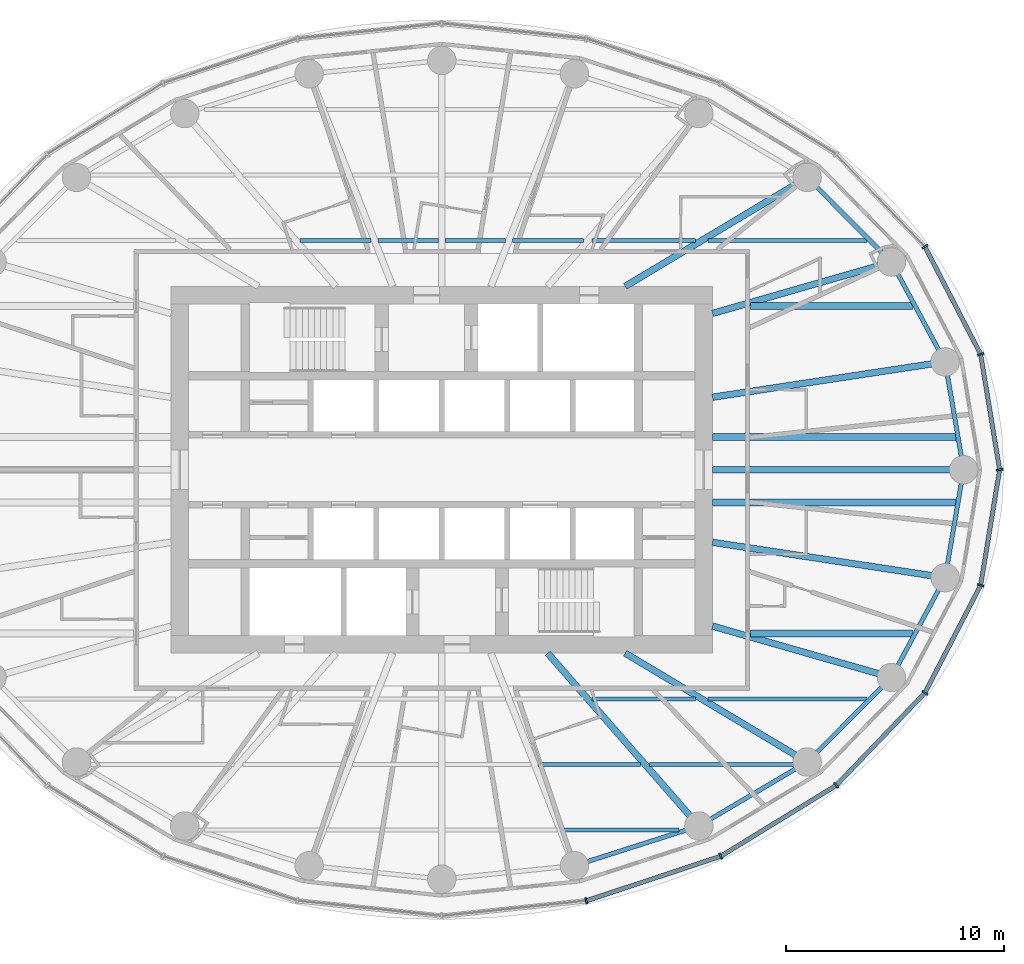
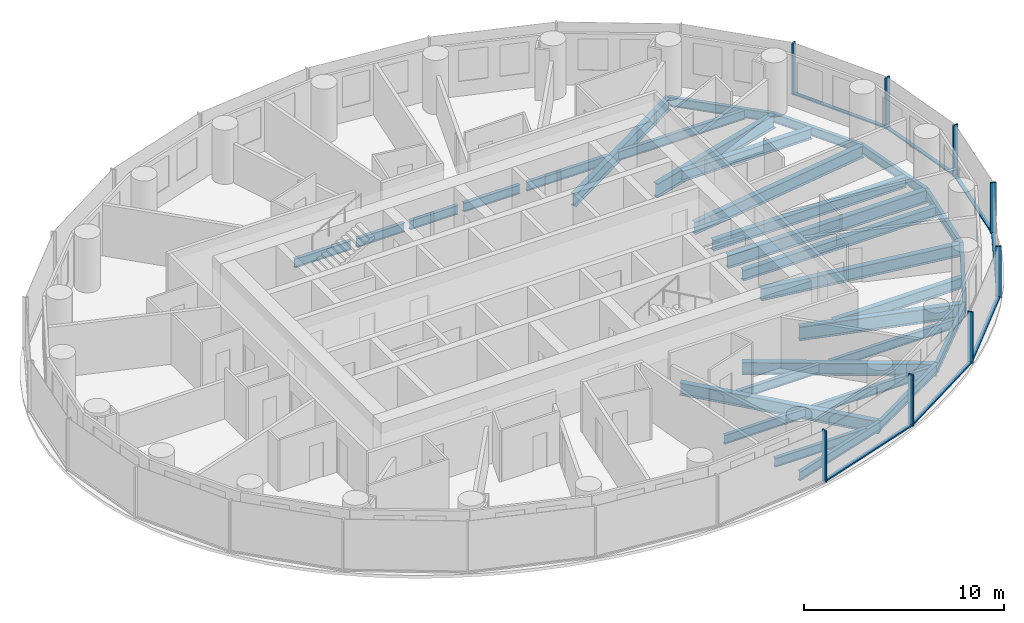
# One storey, part 3 of 13: 31 beams, 15 members, 2 elements without a shape of their own.
"""IFC4 building model written with IfcOpenShell, lengths in metres."""

from ifc_helpers import new_model, si_unit, direction, frame, origin, origin_2d, place, context, subcontext, project, spatial, rectangle, i_section, extrude, material, material_profile, profile_set, type_object, element, aggregate, save


model = new_model("IFC4")

# Units and contexts
model_context = context("Model", 3, precision=1e-05, world=origin(), true_north=direction((0.0, 1.0)))
body_context = subcontext(model_context, "Body", "Model", "MODEL_VIEW")
ifc_project = project(units=[si_unit("LENGTHUNIT", "METRE"), si_unit("AREAUNIT", "SQUARE_METRE"), si_unit("VOLUMEUNIT", "CUBIC_METRE"), si_unit("PLANEANGLEUNIT", "RADIAN"), si_unit("MASSUNIT", "GRAM", prefix="KILO")], contexts=[model_context])

# Site, building, storey
site_placement = place(None, origin())
site = spatial("IfcSite", under=ifc_project, at=site_placement, CompositionType="ELEMENT")
building_placement = place(site_placement, origin())
building = spatial("IfcBuilding", under=site, at=building_placement, Name="Hankou Lantern Tower", CompositionType="ELEMENT")
storey_placement = place(building_placement, frame((0.0, 0.0, 125.39990234375)))
storey = spatial("IfcBuildingStorey", under=building, at=storey_placement, Name="L32", CompositionType="ELEMENT", Elevation=125.39990234375)

# Beams
ifc_material_1 = material(Name="Steel Q355B", Category="steel")
ifc_material_profile_1 = material_profile(ifc_material_1, i_section(OverallWidth=0.199951171875, OverallDepth=0.550048828125, WebThickness=0.010009765625, FlangeThickness=0.01611328125, FilletRadius=0.012939453125, at=origin_2d()), Name="HN550x200x10x16")
ifc_profile_set_1 = profile_set([ifc_material_profile_1], Name="Steel Q355B")
beam_type_1 = type_object("IfcBeamType", Name="EB6 RING BEAM HN550x200x10x16", PredefinedType="SPANDREL", material=ifc_profile_set_1)
beam_1_placement = place(storey_placement, frame((23.89990234375, 0.0, -0.454833984375), z_axis=(-0.168527258545, 0.985696993567, 0.0), x_axis=(-0.985696993567, -0.168527258545, 0.0)))
element("IfcBeam", 1, at=beam_1_placement, inside=storey, type_object=beam_type_1, Name="Ring beam R01-R02 L32", PredefinedType="SPANDREL", context=body_context, shape_type="SweptSolid", body=[
    extrude(i_section(OverallWidth=0.199951171875, OverallDepth=0.550048828125, WebThickness=0.010009765625, FlangeThickness=0.01611328125, FilletRadius=0.012939453125, at=origin_2d()), origin(), (0.0, 0.0, 1.0), 5.013916015625),
])
beam_2_placement = place(storey_placement, frame((23.054931640625, 4.942138671875, -0.454833984375), z_axis=(-0.473824901673, 0.880619079145, 0.0), x_axis=(-0.880619079145, -0.473824901673, 0.0)))
element("IfcBeam", 2, at=beam_2_placement, inside=storey, type_object=beam_type_1, Name="Ring beam R02-R03 L32", PredefinedType="SPANDREL", context=body_context, shape_type="SweptSolid", body=[
    extrude(i_section(OverallWidth=0.199951171875, OverallDepth=0.550048828125, WebThickness=0.010009765625, FlangeThickness=0.01611328125, FilletRadius=0.012939453125, at=origin_2d()), origin(), (0.0, 0.0, 1.0), 5.190185546875),
])
beam_3_placement = place(storey_placement, frame((20.595703125, 9.5126953125, -0.454833984375), z_axis=(-0.705945468625, 0.708266189599, 0.0), x_axis=(-0.708266189599, -0.705945468625, 0.0)))
element("IfcBeam", 3, at=beam_3_placement, inside=storey, type_object=beam_type_1, Name="Ring beam R03-R04 L32", PredefinedType="SPANDREL", context=body_context, shape_type="SweptSolid", body=[
    extrude(i_section(OverallWidth=0.199951171875, OverallDepth=0.550048828125, WebThickness=0.010009765625, FlangeThickness=0.01611328125, FilletRadius=0.012939453125, at=origin_2d()), origin(), (0.0, 0.0, 1.0), 5.470458984375),
])
beam_4_placement = place(storey_placement, frame((6.073974609375, -18.134521484375, -0.454833984375), z_axis=(0.952731090451, 0.303814860215, 0.0), x_axis=(-0.303814860215, 0.952731090451, 0.0)))
element("IfcBeam", 4, at=beam_4_placement, inside=storey, type_object=beam_type_1, Name="Ring beam R20-R21 L32", PredefinedType="SPANDREL", context=body_context, shape_type="SweptSolid", body=[
    extrude(i_section(OverallWidth=0.199951171875, OverallDepth=0.550048828125, WebThickness=0.010009765625, FlangeThickness=0.01611328125, FilletRadius=0.012939453125, at=origin_2d()), origin(), (0.0, 0.0, 1.0), 5.984375),
])
beam_5_placement = place(storey_placement, frame((11.775390625, -16.31640625, -0.454833984375), z_axis=(0.860988974188, 0.508623619513, 0.0), x_axis=(-0.508623619513, 0.860988974188, 0.0)))
element("IfcBeam", 5, at=beam_5_placement, inside=storey, type_object=beam_type_1, Name="Ring beam R21-R22 L32", PredefinedType="SPANDREL", context=body_context, shape_type="SweptSolid", body=[
    extrude(i_section(OverallWidth=0.199951171875, OverallDepth=0.550048828125, WebThickness=0.010009765625, FlangeThickness=0.01611328125, FilletRadius=0.012939453125, at=origin_2d()), origin(), (0.0, 0.0, 1.0), 5.759033203125),
])
beam_6_placement = place(storey_placement, frame((16.73388671875, -13.38720703125, -0.454833984375), z_axis=(0.705945468625, 0.708266189599, 0.0), x_axis=(-0.708266189599, 0.705945468625, 0.0)))
element("IfcBeam", 6, at=beam_6_placement, inside=storey, type_object=beam_type_1, Name="Ring beam R22-R23 L32", PredefinedType="SPANDREL", context=body_context, shape_type="SweptSolid", body=[
    extrude(i_section(OverallWidth=0.199951171875, OverallDepth=0.550048828125, WebThickness=0.010009765625, FlangeThickness=0.01611328125, FilletRadius=0.012939453125, at=origin_2d()), origin(), (0.0, 0.0, 1.0), 5.470458984375),
])
beam_7_placement = place(storey_placement, frame((20.595703125, -9.5126953125, -0.454833984375), z_axis=(0.473824901673, 0.880619079145, 0.0), x_axis=(-0.880619079145, 0.473824901673, 0.0)))
element("IfcBeam", 7, at=beam_7_placement, inside=storey, type_object=beam_type_1, Name="Ring beam R23-R24 L32", PredefinedType="SPANDREL", context=body_context, shape_type="SweptSolid", body=[
    extrude(i_section(OverallWidth=0.199951171875, OverallDepth=0.550048828125, WebThickness=0.010009765625, FlangeThickness=0.01611328125, FilletRadius=0.012939453125, at=origin_2d()), origin(), (0.0, 0.0, 1.0), 5.190185546875),
])
beam_8_placement = place(storey_placement, frame((23.054931640625, -4.942138671875, -0.454833984375), z_axis=(0.168527258545, 0.985696993567, 0.0), x_axis=(-0.985696993567, 0.168527258545, 0.0)))
element("IfcBeam", 8, at=beam_8_placement, inside=storey, type_object=beam_type_1, Name="Ring beam R24-R01 L32", PredefinedType="SPANDREL", context=body_context, shape_type="SweptSolid", body=[
    extrude(i_section(OverallWidth=0.199951171875, OverallDepth=0.550048828125, WebThickness=0.010009765625, FlangeThickness=0.01611328125, FilletRadius=0.012939453125, at=origin_2d()), origin(), (0.0, 0.0, 1.0), 5.013916015625),
])

# Curtain wall, members
ifc_material_2 = material(Name="Glass, dark grey tinted laminated", Category="glass")
curtain_wall_type = type_object("IfcCurtainWallType", Name="CWB OUTER SKIN MID-RISE", PredefinedType="USERDEFINED", material=ifc_material_2)
curtain_wall_1_placement = place(storey_placement, origin())
curtain_wall_1 = element("IfcCurtainWall", 9, at=curtain_wall_1_placement, inside=storey, type_object=curtain_wall_type, Name="CWB L32 OS1", ObjectType="OUTER SKIN MID-RISE", PredefinedType="USERDEFINED")
ifc_material_3 = material(Name="Aluminium, black anodised", Category="aluminium")
ifc_material_profile_2 = material_profile(ifc_material_3, rectangle(XDim=0.080078125, YDim=0.300048828125, at=origin_2d()), Name="MU1 80X300")
ifc_profile_set_2 = profile_set([ifc_material_profile_2], Name="Aluminium, black anodised")
member_type_1 = type_object("IfcMemberType", Name="MU1 OUTER SKIN MULLION 80X300", PredefinedType="MULLION", material=ifc_profile_set_2)
member_1_placement = place(storey_placement, frame((25.550048828125, 0.0, 0.0), z_axis=(0.0, 0.0, 1.0), x_axis=(-0.162381515188, 0.986728049427, 0.0)))
member_1 = element("IfcMember", 10, at=member_1_placement, type_object=member_type_1, Name="CWB mullion 1", PredefinedType="MULLION", context=body_context, shape_type="SweptSolid", body=[
    extrude(rectangle(XDim=0.080078125, YDim=0.300048828125, at=origin_2d()), origin(), (0.0, 0.0, 1.0), 3.1201171875),
])
member_2_placement = place(storey_placement, frame((24.679443359375, 5.290283203125, 0.0), z_axis=(0.0, 0.0, 1.0), x_axis=(-0.317595577365, 0.94822626479, 0.0)))
member_2 = element("IfcMember", 11, at=member_2_placement, type_object=member_type_1, Name="CWB mullion 2", PredefinedType="MULLION", context=body_context, shape_type="SweptSolid", body=[
    extrude(rectangle(XDim=0.080078125, YDim=0.300048828125, at=origin_2d()), origin(), (0.0, 0.0, 1.0), 3.1201171875),
])
member_3_placement = place(storey_placement, frame((22.126953125, 10.219970703125, 0.0), z_axis=(0.0, 0.0, 1.0), x_axis=(-0.585205735974, 0.810884854084, 0.0)))
member_3 = element("IfcMember", 12, at=member_3_placement, type_object=member_type_1, Name="CWB mullion 3", PredefinedType="MULLION", context=body_context, shape_type="SweptSolid", body=[
    extrude(rectangle(XDim=0.080078125, YDim=0.300048828125, at=origin_2d()), origin(), (0.0, 0.0, 1.0), 3.1201171875),
])

curtain_wall_2_placement = place(storey_placement, origin())
curtain_wall_2 = element("IfcCurtainWall", 13, at=curtain_wall_2_placement, inside=storey, type_object=curtain_wall_type, Name="CWB L32 OS4", ObjectType="OUTER SKIN MID-RISE", PredefinedType="USERDEFINED")
member_4_placement = place(storey_placement, frame((6.61279296875, -19.743408203125, 0.0), z_axis=(0.0, 0.0, 1.0), x_axis=(0.977787659625, 0.209597931016, 0.0)))
member_4 = element("IfcMember", 14, at=member_4_placement, type_object=member_type_1, Name="CWB mullion 2", PredefinedType="MULLION", context=body_context, shape_type="SweptSolid", body=[
    extrude(rectangle(XDim=0.080078125, YDim=0.300048828125, at=origin_2d()), origin(), (0.0, 0.0, 1.0), 3.1201171875),
])
member_5_placement = place(storey_placement, frame((12.77490234375, -17.70166015625, 0.0), z_axis=(0.0, 0.0, 1.0), x_axis=(0.907841299004, 0.419313934686, 0.0)))
member_5 = element("IfcMember", 15, at=member_5_placement, type_object=member_type_1, Name="CWB mullion 3", PredefinedType="MULLION", context=body_context, shape_type="SweptSolid", body=[
    extrude(rectangle(XDim=0.080078125, YDim=0.300048828125, at=origin_2d()), origin(), (0.0, 0.0, 1.0), 3.1201171875),
])
member_6_placement = place(storey_placement, frame((18.066650390625, -14.453369140625, 0.0), z_axis=(0.0, 0.0, 1.0), x_axis=(0.780868809444, 0.624695047553, 0.0)))
member_6 = element("IfcMember", 16, at=member_6_placement, type_object=member_type_1, Name="CWB mullion 4", PredefinedType="MULLION", context=body_context, shape_type="SweptSolid", body=[
    extrude(rectangle(XDim=0.080078125, YDim=0.300048828125, at=origin_2d()), origin(), (0.0, 0.0, 1.0), 3.1201171875),
])
member_7_placement = place(storey_placement, frame((22.126953125, -10.219970703125, 0.0), z_axis=(0.0, 0.0, 1.0), x_axis=(0.585205735974, 0.810884854084, 0.0)))
member_7 = element("IfcMember", 17, at=member_7_placement, type_object=member_type_1, Name="CWB mullion 5", PredefinedType="MULLION", context=body_context, shape_type="SweptSolid", body=[
    extrude(rectangle(XDim=0.080078125, YDim=0.300048828125, at=origin_2d()), origin(), (0.0, 0.0, 1.0), 3.1201171875),
])
member_8_placement = place(storey_placement, frame((24.679443359375, -5.290283203125, 0.0), z_axis=(0.0, 0.0, 1.0), x_axis=(0.317595577365, 0.94822626479, 0.0)))
member_8 = element("IfcMember", 18, at=member_8_placement, type_object=member_type_1, Name="CWB mullion 6", PredefinedType="MULLION", context=body_context, shape_type="SweptSolid", body=[
    extrude(rectangle(XDim=0.080078125, YDim=0.300048828125, at=origin_2d()), origin(), (0.0, 0.0, 1.0), 3.1201171875),
])

# Beams
ifc_material_4 = material(Name="Steel Q355B", Category="steel")
ifc_material_profile_3 = material_profile(ifc_material_4, i_section(OverallWidth=0.300048828125, OverallDepth=0.75, WebThickness=0.012939453125, FlangeThickness=0.02392578125, FilletRadius=0.01806640625, at=origin_2d()), Name="HN750x300x13x24")
ifc_profile_set_3 = profile_set([ifc_material_profile_3], Name="Steel Q355B")
beam_type_2 = type_object("IfcBeamType", Name="RB10 RADIAL BEAM HN750x300x13x24", PredefinedType="BEAM", material=ifc_profile_set_3)
beam_9_placement = place(storey_placement, frame((12.39990234375, 3.322509765625, -0.554931640625), z_axis=(0.988643506875, 0.150279793429, 0.0), x_axis=(-0.150279793429, 0.988643506875, 0.0)))
element("IfcBeam", 19, at=beam_9_placement, inside=storey, type_object=beam_type_2, Name="Radial beam R02 L32", PredefinedType="BEAM", context=body_context, shape_type="SweptSolid", body=[
    extrude(i_section(OverallWidth=0.300048828125, OverallDepth=0.75, WebThickness=0.012939453125, FlangeThickness=0.02392578125, FilletRadius=0.01806640625, at=origin_2d()), origin(), (0.0, 0.0, 1.0), 10.77734375),
])
beam_10_placement = place(storey_placement, frame((8.39990234375, 8.39990234375, -0.554931640625), z_axis=(0.858086776551, 0.513504706802, 0.0), x_axis=(-0.513504706802, 0.858086776551, 0.0)))
element("IfcBeam", 20, at=beam_10_placement, inside=storey, type_object=beam_type_2, Name="Radial beam R04 L32", PredefinedType="BEAM", context=body_context, shape_type="SweptSolid", body=[
    extrude(i_section(OverallWidth=0.300048828125, OverallDepth=0.75, WebThickness=0.012939453125, FlangeThickness=0.02392578125, FilletRadius=0.01806640625, at=origin_2d()), origin(), (0.0, 0.0, 1.0), 9.71240234375),
])
beam_11_placement = place(storey_placement, frame((4.849853515625, -8.39990234375, -0.554931640625), z_axis=(0.658429014446, -0.752642832249, 0.0), x_axis=(0.752642832249, 0.658429014446, 0.0)))
element("IfcBeam", 21, at=beam_11_placement, inside=storey, type_object=beam_type_2, Name="Radial beam R21 L32", PredefinedType="BEAM", context=body_context, shape_type="SweptSolid", body=[
    extrude(i_section(OverallWidth=0.300048828125, OverallDepth=0.75, WebThickness=0.012939453125, FlangeThickness=0.02392578125, FilletRadius=0.01806640625, at=origin_2d()), origin(), (0.0, 0.0, 1.0), 10.518310546875),
])
beam_12_placement = place(storey_placement, frame((8.39990234375, -8.39990234375, -0.554931640625), z_axis=(0.858086776551, -0.513504706802, 0.0), x_axis=(0.513504706802, 0.858086776551, 0.0)))
element("IfcBeam", 22, at=beam_12_placement, inside=storey, type_object=beam_type_2, Name="Radial beam R22 L32", PredefinedType="BEAM", context=body_context, shape_type="SweptSolid", body=[
    extrude(i_section(OverallWidth=0.300048828125, OverallDepth=0.75, WebThickness=0.012939453125, FlangeThickness=0.02392578125, FilletRadius=0.01806640625, at=origin_2d()), origin(), (0.0, 0.0, 1.0), 9.71240234375),
])
beam_13_placement = place(storey_placement, frame((12.39990234375, -3.322509765625, -0.554931640625), z_axis=(0.988643506875, -0.150279793429, 0.0), x_axis=(0.150279793429, 0.988643506875, 0.0)))
element("IfcBeam", 23, at=beam_13_placement, inside=storey, type_object=beam_type_2, Name="Radial beam R24 L32", PredefinedType="BEAM", context=body_context, shape_type="SweptSolid", body=[
    extrude(i_section(OverallWidth=0.300048828125, OverallDepth=0.75, WebThickness=0.012939453125, FlangeThickness=0.02392578125, FilletRadius=0.01806640625, at=origin_2d()), origin(), (0.0, 0.0, 1.0), 10.77734375),
])
ifc_material_5 = material(Name="Steel Q355B", Category="steel")
ifc_material_profile_4 = material_profile(ifc_material_5, i_section(OverallWidth=0.300048828125, OverallDepth=0.800048828125, WebThickness=0.013916015625, FlangeThickness=0.02587890625, FilletRadius=0.01806640625, at=origin_2d()), Name="HN800x300x14x26")
ifc_profile_set_4 = profile_set([ifc_material_profile_4], Name="Steel Q355B")
beam_type_3 = type_object("IfcBeamType", Name="RB11 RADIAL BEAM HN800x300x14x26", PredefinedType="BEAM", material=ifc_profile_set_4)
beam_14_placement = place(storey_placement, frame((12.39990234375, 0.0, -0.579833984375), z_axis=(1.0, 0.0, 0.0), x_axis=(0.0, 1.0, 0.0)))
element("IfcBeam", 24, at=beam_14_placement, inside=storey, type_object=beam_type_3, Name="Radial beam R01 L32", PredefinedType="BEAM", context=body_context, shape_type="SweptSolid", body=[
    extrude(i_section(OverallWidth=0.300048828125, OverallDepth=0.800048828125, WebThickness=0.013916015625, FlangeThickness=0.02587890625, FilletRadius=0.01806640625, at=origin_2d()), origin(), (0.0, 0.0, 1.0), 11.5),
])
ifc_material_6 = material(Name="Steel Q355B", Category="steel")
ifc_material_profile_5 = material_profile(ifc_material_6, i_section(OverallWidth=0.300048828125, OverallDepth=0.85009765625, WebThickness=0.01611328125, FlangeThickness=0.027099609375, FilletRadius=0.01806640625, at=origin_2d()), Name="HN850x300x16x27")
ifc_profile_set_5 = profile_set([ifc_material_profile_5], Name="Steel Q355B")
beam_type_4 = type_object("IfcBeamType", Name="RB12 RADIAL BEAM HN850x300x16x27", PredefinedType="BEAM", material=ifc_profile_set_5)
for number, where, z_axis, x_axis, name in (
    (25, (12.39990234375, 7.1591796875, -0.60498046875), (0.961155741911, 0.276006593745, 0.0), (-0.276006593745, 0.961155741911, 0.0), "Radial beam R03 L32"),
    (26, (12.39990234375, -7.1591796875, -0.60498046875), (0.961155741911, -0.276006593745, 0.0), (0.276006593745, 0.961155741911, 0.0), "Radial beam R23 L32"),
):
    element("IfcBeam", number, at=place(storey_placement, frame(where, z_axis=z_axis, x_axis=x_axis)), inside=storey, type_object=beam_type_4, Name=name, PredefinedType="BEAM", context=body_context, shape_type="SweptSolid", body=[
        extrude(i_section(OverallWidth=0.300048828125, OverallDepth=0.85009765625, WebThickness=0.01611328125, FlangeThickness=0.027099609375, FilletRadius=0.01806640625, at=origin_2d()), origin(), (0.0, 0.0, 1.0), 8.527099609375),
    ])
ifc_material_7 = material(Name="Steel Q355B", Category="steel")
ifc_material_profile_6 = material_profile(ifc_material_7, i_section(OverallWidth=0.199951171875, OverallDepth=0.550048828125, WebThickness=0.010009765625, FlangeThickness=0.01611328125, FilletRadius=0.012939453125, at=origin_2d()), Name="HN550x200x10x16")
ifc_profile_set_6 = profile_set([ifc_material_profile_6], Name="Steel Q355B")
beam_type_5 = type_object("IfcBeamType", Name="SB6 SECONDARY BEAM HN550x200x10x16", PredefinedType="JOIST", material=ifc_profile_set_6)
beam_15_placement = place(storey_placement, frame((5.59326171875, -16.5, -0.454833984375), z_axis=(1.0, 0.0, 0.0), x_axis=(0.0, 1.0, 0.0)))
element("IfcBeam", 27, at=beam_15_placement, inside=storey, type_object=beam_type_5, Name="Floor joist J004 L32", PredefinedType="JOIST", context=body_context, shape_type="SweptSolid", body=[
    extrude(i_section(OverallWidth=0.199951171875, OverallDepth=0.550048828125, WebThickness=0.010009765625, FlangeThickness=0.01611328125, FilletRadius=0.012939453125, at=origin_2d()), origin(), (0.0, 0.0, 1.0), 5.27685546875),
])
beam_16_placement = place(storey_placement, frame((4.4150390625, -13.5, -0.454833984375), z_axis=(1.0, 0.0, 0.0), x_axis=(0.0, 1.0, 0.0)))
element("IfcBeam", 28, at=beam_16_placement, inside=storey, type_object=beam_type_5, Name="Floor joist J009 L32", PredefinedType="JOIST", context=body_context, shape_type="SweptSolid", body=[
    extrude(i_section(OverallWidth=0.199951171875, OverallDepth=0.550048828125, WebThickness=0.010009765625, FlangeThickness=0.01611328125, FilletRadius=0.012939453125, at=origin_2d()), origin(), (0.0, 0.0, 1.0), 4.697021484375),
])
beam_17_placement = place(storey_placement, frame((9.5107421875, -13.5, -0.454833984375), z_axis=(1.0, 0.0, 0.0), x_axis=(0.0, 1.0, 0.0)))
element("IfcBeam", 29, at=beam_17_placement, inside=storey, type_object=beam_type_5, Name="Floor joist J010 L32", PredefinedType="JOIST", context=body_context, shape_type="SweptSolid", body=[
    extrude(i_section(OverallWidth=0.199951171875, OverallDepth=0.550048828125, WebThickness=0.010009765625, FlangeThickness=0.01611328125, FilletRadius=0.012939453125, at=origin_2d()), origin(), (0.0, 0.0, 1.0), 6.83544921875),
])
beam_18_placement = place(storey_placement, frame((6.88623046875, -10.5, -0.454833984375), z_axis=(1.0, 0.0, 0.0), x_axis=(0.0, 1.0, 0.0)))
element("IfcBeam", 30, at=beam_18_placement, inside=storey, type_object=beam_type_5, Name="Floor joist J017 L32", PredefinedType="JOIST", context=body_context, shape_type="SweptSolid", body=[
    extrude(i_section(OverallWidth=0.199951171875, OverallDepth=0.550048828125, WebThickness=0.010009765625, FlangeThickness=0.01611328125, FilletRadius=0.012939453125, at=origin_2d()), origin(), (0.0, 0.0, 1.0), 4.73095703125),
])
beam_19_placement = place(storey_placement, frame((12.201416015625, -10.5, -0.454833984375), z_axis=(1.0, 0.0, 0.0), x_axis=(0.0, 1.0, 0.0)))
element("IfcBeam", 31, at=beam_19_placement, inside=storey, type_object=beam_type_5, Name="Floor joist J018 L32", PredefinedType="JOIST", context=body_context, shape_type="SweptSolid", body=[
    extrude(i_section(OverallWidth=0.199951171875, OverallDepth=0.550048828125, WebThickness=0.010009765625, FlangeThickness=0.01611328125, FilletRadius=0.012939453125, at=origin_2d()), origin(), (0.0, 0.0, 1.0), 7.26904296875),
])
beam_20_placement = place(storey_placement, frame((-6.487548828125, 10.5, -0.454833984375), z_axis=(1.0, 0.0, 0.0), x_axis=(0.0, 1.0, 0.0)))
element("IfcBeam", 32, at=beam_20_placement, inside=storey, type_object=beam_type_5, Name="Floor joist J037 L32", PredefinedType="JOIST", context=body_context, shape_type="SweptSolid", body=[
    extrude(i_section(OverallWidth=0.199951171875, OverallDepth=0.550048828125, WebThickness=0.010009765625, FlangeThickness=0.01611328125, FilletRadius=0.012939453125, at=origin_2d()), origin(), (0.0, 0.0, 1.0), 3.2509765625),
])
for number, where, z_axis, x_axis, name in (
    (33, (-2.914306640625, 10.5, -0.454833984375), (1.0, 0.0, 0.0), (0.0, 1.0, 0.0), "Floor joist J038 L32"),
    (34, (0.14990234375, 10.5, -0.454833984375), (1.0, 0.0, 0.0), (0.0, 1.0, 0.0), "Floor joist J039 L32"),
):
    element("IfcBeam", number, at=place(storey_placement, frame(where, z_axis=z_axis, x_axis=x_axis)), inside=storey, type_object=beam_type_5, Name=name, PredefinedType="JOIST", context=body_context, shape_type="SweptSolid", body=[
        extrude(i_section(OverallWidth=0.199951171875, OverallDepth=0.550048828125, WebThickness=0.010009765625, FlangeThickness=0.01611328125, FilletRadius=0.012939453125, at=origin_2d()), origin(), (0.0, 0.0, 1.0), 2.764404296875),
    ])
beam_21_placement = place(storey_placement, frame((3.236572265625, 10.5, -0.454833984375), z_axis=(1.0, 0.0, 0.0), x_axis=(0.0, 1.0, 0.0)))
element("IfcBeam", 35, at=beam_21_placement, inside=storey, type_object=beam_type_5, Name="Floor joist J040 L32", PredefinedType="JOIST", context=body_context, shape_type="SweptSolid", body=[
    extrude(i_section(OverallWidth=0.199951171875, OverallDepth=0.550048828125, WebThickness=0.010009765625, FlangeThickness=0.01611328125, FilletRadius=0.012939453125, at=origin_2d()), origin(), (0.0, 0.0, 1.0), 3.2509765625),
])
beam_22_placement = place(storey_placement, frame((6.88623046875, 10.5, -0.454833984375), z_axis=(1.0, 0.0, 0.0), x_axis=(0.0, 1.0, 0.0)))
element("IfcBeam", 36, at=beam_22_placement, inside=storey, type_object=beam_type_5, Name="Floor joist J041 L32", PredefinedType="JOIST", context=body_context, shape_type="SweptSolid", body=[
    extrude(i_section(OverallWidth=0.199951171875, OverallDepth=0.550048828125, WebThickness=0.010009765625, FlangeThickness=0.01611328125, FilletRadius=0.012939453125, at=origin_2d()), origin(), (0.0, 0.0, 1.0), 4.73095703125),
])
beam_23_placement = place(storey_placement, frame((12.201416015625, 10.5, -0.454833984375), z_axis=(1.0, 0.0, 0.0), x_axis=(0.0, 1.0, 0.0)))
element("IfcBeam", 37, at=beam_23_placement, inside=storey, type_object=beam_type_5, Name="Floor joist J042 L32", PredefinedType="JOIST", context=body_context, shape_type="SweptSolid", body=[
    extrude(i_section(OverallWidth=0.199951171875, OverallDepth=0.550048828125, WebThickness=0.010009765625, FlangeThickness=0.01611328125, FilletRadius=0.012939453125, at=origin_2d()), origin(), (0.0, 0.0, 1.0), 7.26904296875),
])
ifc_material_8 = material(Name="Steel Q355B", Category="steel")
ifc_material_profile_7 = material_profile(ifc_material_8, i_section(OverallWidth=0.300048828125, OverallDepth=0.64990234375, WebThickness=0.010986328125, FlangeThickness=0.01708984375, FilletRadius=0.01806640625, at=origin_2d()), Name="HN650x300x11x17")
ifc_profile_set_7 = profile_set([ifc_material_profile_7], Name="Steel Q355B")
beam_type_6 = type_object("IfcBeamType", Name="SB8 SECONDARY BEAM HN650x300x11x17", PredefinedType="JOIST", material=ifc_profile_set_7)
beam_24_placement = place(storey_placement, frame((14.13037109375, -7.5, -0.5048828125), z_axis=(1.0, 0.0, 0.0), x_axis=(0.0, 1.0, 0.0)))
element("IfcBeam", 38, at=beam_24_placement, inside=storey, type_object=beam_type_6, Name="Floor joist J020 L32", PredefinedType="JOIST", context=body_context, shape_type="SweptSolid", body=[
    extrude(i_section(OverallWidth=0.300048828125, OverallDepth=0.64990234375, WebThickness=0.010986328125, FlangeThickness=0.01708984375, FilletRadius=0.01806640625, at=origin_2d()), origin(), (0.0, 0.0, 1.0), 7.4345703125),
])
for number, where, z_axis, x_axis, name in (
    (39, (12.39990234375, -1.5, -0.5048828125), (1.0, 0.0, 0.0), (0.0, 1.0, 0.0), "Floor joist J026 L32"),
    (40, (12.39990234375, 1.5, -0.5048828125), (1.0, 0.0, 0.0), (0.0, 1.0, 0.0), "Floor joist J028 L32"),
):
    element("IfcBeam", number, at=place(storey_placement, frame(where, z_axis=z_axis, x_axis=x_axis)), inside=storey, type_object=beam_type_6, Name=name, PredefinedType="JOIST", context=body_context, shape_type="SweptSolid", body=[
        extrude(i_section(OverallWidth=0.300048828125, OverallDepth=0.64990234375, WebThickness=0.010986328125, FlangeThickness=0.01708984375, FilletRadius=0.01806640625, at=origin_2d()), origin(), (0.0, 0.0, 1.0), 11.14208984375),
    ])
beam_25_placement = place(storey_placement, frame((14.13037109375, 7.5, -0.5048828125), z_axis=(1.0, 0.0, 0.0), x_axis=(0.0, 1.0, 0.0)))
element("IfcBeam", 41, at=beam_25_placement, inside=storey, type_object=beam_type_6, Name="Floor joist J034 L32", PredefinedType="JOIST", context=body_context, shape_type="SweptSolid", body=[
    extrude(i_section(OverallWidth=0.300048828125, OverallDepth=0.64990234375, WebThickness=0.010986328125, FlangeThickness=0.01708984375, FilletRadius=0.01806640625, at=origin_2d()), origin(), (0.0, 0.0, 1.0), 7.4345703125),
])

# Member
ifc_material_9 = material(Name="Aluminium, black anodised", Category="aluminium")
ifc_material_profile_8 = material_profile(ifc_material_9, rectangle(XDim=0.199951171875, YDim=0.080078125, at=origin_2d()), Name="TR1 200X80")
ifc_profile_set_8 = profile_set([ifc_material_profile_8], Name="Aluminium, black anodised")
member_type_2 = type_object("IfcMemberType", Name="TR1 OUTER SKIN TRANSOM 200X80", PredefinedType="USERDEFINED", material=ifc_profile_set_8)
member_9_placement = place(storey_placement, frame((25.54345703125, 0.03955078125, 0.0400390625), z_axis=(-0.162397124076, 0.986725480614, 0.0), x_axis=(-0.986725480614, -0.162397124076, 0.0)))
member_9 = element("IfcMember", 42, at=member_9_placement, type_object=member_type_2, Name="CWB transom 1", ObjectType="TRANSOM", PredefinedType="USERDEFINED", context=body_context, shape_type="SweptSolid", body=[
    extrude(rectangle(XDim=0.199951171875, YDim=0.080078125, at=origin_2d()), origin(), (0.0, 0.0, 1.0), 5.28125),
])

member_10_placement = place(storey_placement, frame((24.6611328125, 5.32568359375, 0.0400390625), z_axis=(-0.459805240543, 0.888019786249, 0.0), x_axis=(-0.888019786249, -0.459805240543, 0.0)))
member_10 = element("IfcMember", 43, at=member_10_placement, type_object=member_type_2, Name="CWB transom 2", ObjectType="TRANSOM", PredefinedType="USERDEFINED", context=body_context, shape_type="SweptSolid", body=[
    extrude(rectangle(XDim=0.199951171875, YDim=0.080078125, at=origin_2d()), origin(), (0.0, 0.0, 1.0), 5.4716796875),
])

aggregate(curtain_wall_1, [member_1, member_2, member_3, member_9, member_10])

member_11_placement = place(storey_placement, frame((6.65087890625, -19.73095703125, 0.0400390625), z_axis=(0.949237765745, 0.314559476225, 0.0), x_axis=(-0.314559476225, 0.949237765745, 0.0)))
member_11 = element("IfcMember", 44, at=member_11_placement, type_object=member_type_2, Name="CWB transom 2", ObjectType="TRANSOM", PredefinedType="USERDEFINED", context=body_context, shape_type="SweptSolid", body=[
    extrude(rectangle(XDim=0.199951171875, YDim=0.080078125, at=origin_2d()), origin(), (0.0, 0.0, 1.0), 6.41162109375),
])

member_12_placement = place(storey_placement, frame((12.80908203125, -17.6806640625, 0.0400390625), z_axis=(0.852229492169, 0.523168130411, 0.0), x_axis=(-0.523168130411, 0.852229492169, 0.0)))
member_12 = element("IfcMember", 45, at=member_12_placement, type_object=member_type_2, Name="CWB transom 3", ObjectType="TRANSOM", PredefinedType="USERDEFINED", context=body_context, shape_type="SweptSolid", body=[
    extrude(rectangle(XDim=0.199951171875, YDim=0.080078125, at=origin_2d()), origin(), (0.0, 0.0, 1.0), 6.129150390625),
])

member_13_placement = place(storey_placement, frame((18.09423828125, -14.42431640625, 0.0400390625), z_axis=(0.692226977748, 0.721679853729, 0.0), x_axis=(-0.721679853729, 0.692226977748, 0.0)))
member_13 = element("IfcMember", 46, at=member_13_placement, type_object=member_type_2, Name="CWB transom 4", ObjectType="TRANSOM", PredefinedType="USERDEFINED", context=body_context, shape_type="SweptSolid", body=[
    extrude(rectangle(XDim=0.199951171875, YDim=0.080078125, at=origin_2d()), origin(), (0.0, 0.0, 1.0), 5.785888671875),
])

member_14_placement = place(storey_placement, frame((22.145263671875, -10.1845703125, 0.0400390625), z_axis=(0.459805240543, 0.888019786249, 0.0), x_axis=(-0.888019786249, 0.459805240543, 0.0)))
member_14 = element("IfcMember", 47, at=member_14_placement, type_object=member_type_2, Name="CWB transom 5", ObjectType="TRANSOM", PredefinedType="USERDEFINED", context=body_context, shape_type="SweptSolid", body=[
    extrude(rectangle(XDim=0.199951171875, YDim=0.080078125, at=origin_2d()), origin(), (0.0, 0.0, 1.0), 5.4716796875),
])

member_15_placement = place(storey_placement, frame((24.685791015625, -5.250732421875, 0.0400390625), z_axis=(0.162397124076, 0.986725480614, 0.0), x_axis=(-0.986725480614, 0.162397124076, 0.0)))
member_15 = element("IfcMember", 48, at=member_15_placement, type_object=member_type_2, Name="CWB transom 6", ObjectType="TRANSOM", PredefinedType="USERDEFINED", context=body_context, shape_type="SweptSolid", body=[
    extrude(rectangle(XDim=0.199951171875, YDim=0.080078125, at=origin_2d()), origin(), (0.0, 0.0, 1.0), 5.28125),
])

aggregate(curtain_wall_2, [member_4, member_5, member_6, member_7, member_8, member_11, member_12, member_13, member_14, member_15])

save(model, "model.ifc")
